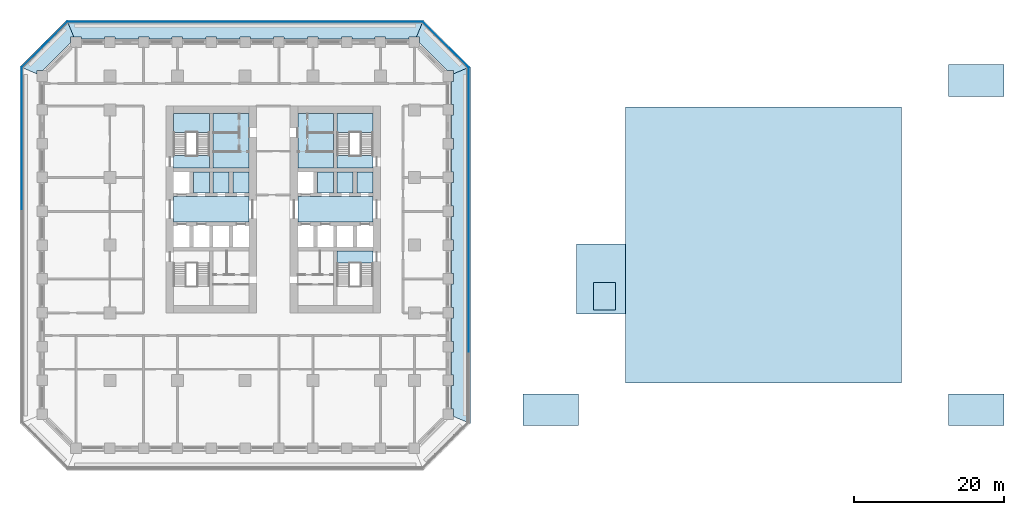
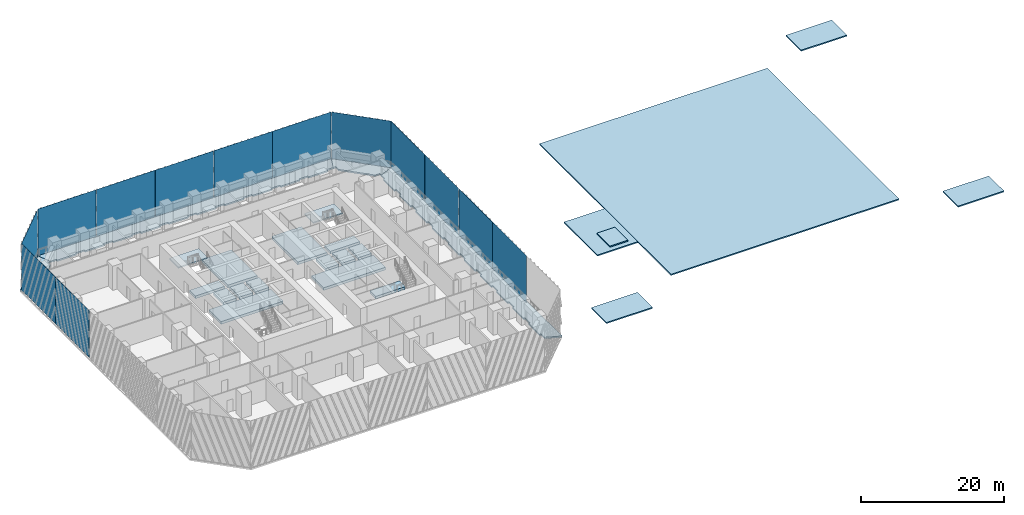
# One storey, part 2 of 15: 25 slabs, 13 plates, 2 elements without a shape of their own.
"""IFC4 building model written with IfcOpenShell, lengths in metres."""

from ifc_helpers import new_model, si_unit, direction, frame, origin, origin_2d, place, context, subcontext, project, spatial, polyline, rectangle, outline, extrude, material, layer, layer_set, type_object, element, aggregate, save


model = new_model("IFC4")

# Units and contexts
model_context = context("Model", 3, precision=1e-05, world=origin(), true_north=direction((0.0, 1.0)))
body_context = subcontext(model_context, "Body", "Model", "MODEL_VIEW")
ifc_project = project(units=[si_unit("LENGTHUNIT", "METRE"), si_unit("AREAUNIT", "SQUARE_METRE"), si_unit("VOLUMEUNIT", "CUBIC_METRE"), si_unit("PLANEANGLEUNIT", "RADIAN"), si_unit("MASSUNIT", "GRAM", prefix="KILO")], contexts=[model_context])

# Site, building, storey
site_placement = place(None, origin())
site = spatial("IfcSite", under=ifc_project, at=site_placement, CompositionType="ELEMENT")
building_placement = place(site_placement, origin())
building = spatial("IfcBuilding", under=site, at=building_placement, Name="Corbel Stack Research Tower", CompositionType="ELEMENT")
storey_placement = place(building_placement, frame((0.0, 0.0, 23.60009765625)))
storey = spatial("IfcBuildingStorey", under=building, at=storey_placement, Name="L05", CompositionType="ELEMENT", Elevation=23.60009765625)

# Plates
ifc_material_1 = material(Name="Fritted glass", Category="glass")
ifc_layer_1 = layer(ifc_material_1, 0.02490234375)
ifc_layer_set_1 = layer_set([ifc_layer_1], Name="Fritted glass")
plate_type = type_object("IfcPlateType", Name="Fritted glass panel 25", PredefinedType="SHEET", material=ifc_layer_set_1)
for number, where, z_axis, x_axis, name in (
    (1, (29.737548828125, -9.45556640625, 0.0), (0.0, 0.0, 1.0), (0.0, 1.0, 0.0), "Fritted glass L05 E2"),
    (2, (29.737548828125, 0.0, 0.0), (0.0, 0.0, 1.0), (0.0, 1.0, 0.0), "Fritted glass L05 E3"),
    (3, (29.737548828125, 9.45556640625, 0.0), (0.0, 0.0, 1.0), (0.0, 1.0, 0.0), "Fritted glass L05 E4"),
    (4, (29.737548828125, 18.911376953125, 0.0), (0.0, 0.0, 1.0), (0.0, 1.0, 0.0), "Fritted glass L05 E5"),
):
    element("IfcPlate", number, at=place(storey_placement, frame(where, z_axis=z_axis, x_axis=x_axis)), inside=storey, type_object=plate_type, Name=name, PredefinedType="SHEET", context=body_context, shape_type="SweptSolid", body=[
        extrude(rectangle(XDim=9.3955078125, YDim=0.02490234375, at=origin_2d()), origin(), (0.0, 0.0, 1.0), 7.949951171875),
    ])
plate_1_placement = place(storey_placement, frame((26.685791015625, 26.685791015625, 0.0), z_axis=(0.0, 0.0, 1.0), x_axis=(-0.707106781187, 0.707106781187, 0.0)))
element("IfcPlate", 5, at=plate_1_placement, inside=storey, type_object=plate_type, Name="Fritted glass L05 NE1", PredefinedType="SHEET", context=body_context, shape_type="SweptSolid", body=[
    extrude(rectangle(XDim=8.58203125, YDim=0.02490234375, at=origin_2d()), origin(), (0.0, 0.0, 1.0), 7.949951171875),
])
for number, where, z_axis, x_axis, name in (
    (6, (18.911376953125, 29.737548828125, 0.0), (0.0, 0.0, 1.0), (-1.0, 0.0, 0.0), "Fritted glass L05 N1"),
    (7, (9.45556640625, 29.737548828125, 0.0), (0.0, 0.0, 1.0), (-1.0, 0.0, 0.0), "Fritted glass L05 N2"),
    (8, (0.0, 29.737548828125, 0.0), (0.0, 0.0, 1.0), (-1.0, 0.0, 0.0), "Fritted glass L05 N3"),
    (9, (-9.45556640625, 29.737548828125, 0.0), (0.0, 0.0, 1.0), (-1.0, 0.0, 0.0), "Fritted glass L05 N4"),
    (10, (-18.911376953125, 29.737548828125, 0.0), (0.0, 0.0, 1.0), (-1.0, 0.0, 0.0), "Fritted glass L05 N5"),
):
    element("IfcPlate", number, at=place(storey_placement, frame(where, z_axis=z_axis, x_axis=x_axis)), inside=storey, type_object=plate_type, Name=name, PredefinedType="SHEET", context=body_context, shape_type="SweptSolid", body=[
        extrude(rectangle(XDim=9.3955078125, YDim=0.02490234375, at=origin_2d()), origin(), (0.0, 0.0, 1.0), 7.949951171875),
    ])
plate_2_placement = place(storey_placement, frame((-26.685791015625, 26.685791015625, 0.0), z_axis=(0.0, 0.0, 1.0), x_axis=(-0.707106781187, -0.707106781187, 0.0)))
element("IfcPlate", 11, at=plate_2_placement, inside=storey, type_object=plate_type, Name="Fritted glass L05 NW1", PredefinedType="SHEET", context=body_context, shape_type="SweptSolid", body=[
    extrude(rectangle(XDim=8.58203125, YDim=0.02490234375, at=origin_2d()), origin(), (0.0, 0.0, 1.0), 7.949951171875),
])
for number, where, z_axis, x_axis, name in (
    (12, (-29.737548828125, 18.911376953125, 0.0), (0.0, 0.0, 1.0), (0.0, -1.0, 0.0), "Fritted glass L05 W1"),
    (13, (-29.737548828125, 9.45556640625, 0.0), (0.0, 0.0, 1.0), (0.0, -1.0, 0.0), "Fritted glass L05 W2"),
):
    element("IfcPlate", number, at=place(storey_placement, frame(where, z_axis=z_axis, x_axis=x_axis)), inside=storey, type_object=plate_type, Name=name, PredefinedType="SHEET", context=body_context, shape_type="SweptSolid", body=[
        extrude(rectangle(XDim=9.3955078125, YDim=0.02490234375, at=origin_2d()), origin(), (0.0, 0.0, 1.0), 7.949951171875),
    ])

# Slabs
ifc_material_2 = material(Name="Concrete C40/50", Category="concrete")
ifc_layer_2 = layer(ifc_material_2, 0.199951171875)
ifc_layer_set_2 = layer_set([ifc_layer_2], Name="Concrete C40/50")
slab_type_1 = type_object("IfcSlabType", Name="HS3 roof slab 200", PredefinedType="ROOF", material=ifc_layer_set_2)
slab_1_placement = place(storey_placement, frame((0.0, 0.0, -0.2001953125)))
element("IfcSlab", 14, at=slab_1_placement, inside=storey, type_object=slab_type_1, Name="Hall roof", PredefinedType="ROOF", context=body_context, shape_type="SweptSolid", body=[
    extrude(outline(polyline([(87.300048828125, -18.35009765625), (50.60009765625, -18.35009765625), (50.60009765625, 18.35009765625), (87.300048828125, 18.35009765625), (87.300048828125, -18.35009765625)])), origin(), (0.0, 0.0, 1.0), 0.2001953125),
])
slab_2_placement = place(storey_placement, frame((0.0, 0.0, -0.2001953125)))
element("IfcSlab", 15, at=slab_2_placement, inside=storey, type_object=slab_type_1, Name="Terrace lobby roof", PredefinedType="ROOF", context=body_context, shape_type="SweptSolid", body=[
    extrude(outline(polyline([(44.050048828125, -9.14990234375), (44.050048828125, 0.14990234375), (50.60009765625, 0.14990234375), (50.60009765625, -9.14990234375), (44.050048828125, -9.14990234375)])), origin(), (0.0, 0.0, 1.0), 0.2001953125),
])
slab_3_placement = place(storey_placement, frame((0.0, 0.0, -0.2001953125)))
element("IfcSlab", 16, at=slab_3_placement, inside=storey, type_object=slab_type_1, Name="Stair HS1 head roof", PredefinedType="ROOF", context=body_context, shape_type="SweptSolid", body=[
    extrude(outline(polyline([(44.35009765625, -24.0), (36.949951171875, -24.0), (36.949951171875, -19.77490234375), (44.35009765625, -19.77490234375), (44.35009765625, -24.0)])), origin(), (0.0, 0.0, 1.0), 0.2001953125),
])
slab_4_placement = place(storey_placement, frame((0.0, 0.0, -0.2001953125)))
element("IfcSlab", 17, at=slab_4_placement, inside=storey, type_object=slab_type_1, Name="Stair HS2 head roof", PredefinedType="ROOF", context=body_context, shape_type="SweptSolid", body=[
    extrude(outline(polyline([(100.949951171875, 19.77490234375), (93.550048828125, 19.77490234375), (93.550048828125, 24.0), (100.949951171875, 24.0), (100.949951171875, 19.77490234375)])), origin(), (0.0, 0.0, 1.0), 0.2001953125),
])
slab_5_placement = place(storey_placement, frame((0.0, 0.0, -0.2001953125)))
element("IfcSlab", 18, at=slab_5_placement, inside=storey, type_object=slab_type_1, Name="Stair HS3 head roof", PredefinedType="ROOF", context=body_context, shape_type="SweptSolid", body=[
    extrude(outline(polyline([(100.949951171875, -24.0), (93.550048828125, -24.0), (93.550048828125, -19.77490234375), (100.949951171875, -19.77490234375), (100.949951171875, -24.0)])), origin(), (0.0, 0.0, 1.0), 0.2001953125),
])
slab_6_placement = place(storey_placement, frame((0.0, 0.0, 0.199951171875)))
element("IfcSlab", 19, at=slab_6_placement, inside=storey, type_object=slab_type_1, Name="Lift shaft cap slab", PredefinedType="ROOF", context=body_context, shape_type="SweptSolid", body=[
    extrude(outline(polyline([(49.27490234375, -8.625), (46.375, -8.625), (46.375, -4.97509765625), (49.27490234375, -4.97509765625), (49.27490234375, -8.625)])), origin(), (0.0, 0.0, 1.0), 0.199951171875),
])
ifc_material_3 = material(Name="Concrete C45/55", Category="concrete")
ifc_layer_3 = layer(ifc_material_3, 0.25)
ifc_layer_set_3 = layer_set([ifc_layer_3], Name="Concrete C45/55")
slab_type_2 = type_object("IfcSlabType", Name="PT balcony slab 250 C45/55", PredefinedType="FLOOR", material=ifc_layer_set_3)
slab_7_placement = place(storey_placement, frame((0.0, 0.0, -0.25)))
element("IfcSlab", 20, at=slab_7_placement, inside=storey, type_object=slab_type_2, Name="Loggia slab L05 E", PredefinedType="FLOOR", context=body_context, shape_type="SweptSolid", body=[
    extrude(outline(polyline([(27.699951171875, 22.789794921875), (27.699951171875, 21.800048828125), (27.449951171875, 21.800048828125), (27.449951171875, 18.699951171875), (27.699951171875, 18.699951171875), (27.699951171875, 17.300048828125), (27.449951171875, 17.300048828125), (27.449951171875, 14.199951171875), (27.699951171875, 14.199951171875), (27.699951171875, 12.800048828125), (27.449951171875, 12.800048828125), (27.449951171875, 9.699951171875), (27.699951171875, 9.699951171875), (27.699951171875, 8.300048828125), (27.449951171875, 8.300048828125), (27.449951171875, 5.199951171875), (27.699951171875, 5.199951171875), (27.699951171875, 3.800048828125), (27.449951171875, 3.800048828125), (27.449951171875, 0.699951171875), (27.699951171875, 0.699951171875), (27.699951171875, -0.699951171875), (27.449951171875, -0.699951171875), (27.449951171875, -3.800048828125), (27.699951171875, -3.800048828125), (27.699951171875, -5.199951171875), (27.449951171875, -5.199951171875), (27.449951171875, -8.300048828125), (27.699951171875, -8.300048828125), (27.699951171875, -9.699951171875), (27.449951171875, -9.699951171875), (27.449951171875, -12.800048828125), (27.699951171875, -12.800048828125), (27.699951171875, -14.199951171875), (27.449951171875, -14.199951171875), (27.449951171875, -17.300048828125), (27.699951171875, -17.300048828125), (27.699951171875, -18.699951171875), (27.449951171875, -18.699951171875), (27.449951171875, -21.800048828125), (27.699951171875, -21.800048828125), (27.699951171875, -22.789794921875), (29.949951171875, -23.721923828125), (29.949951171875, 23.721923828125), (27.699951171875, 22.789794921875)])), origin(), (0.0, 0.0, 1.0), 0.25),
])
slab_8_placement = place(storey_placement, frame((0.0, 0.0, -0.25)))
element("IfcSlab", 21, at=slab_8_placement, inside=storey, type_object=slab_type_2, Name="Loggia slab L05 NE", PredefinedType="FLOOR", context=body_context, shape_type="SweptSolid", body=[
    extrude(outline(polyline([(22.789794921875, 27.699951171875), (23.199951171875, 27.699951171875), (23.199951171875, 26.936279296875), (26.936279296875, 23.199951171875), (27.699951171875, 23.199951171875), (27.699951171875, 22.789794921875), (29.949951171875, 23.721923828125), (23.721923828125, 29.949951171875), (22.789794921875, 27.699951171875)])), origin(), (0.0, 0.0, 1.0), 0.25),
])
slab_9_placement = place(storey_placement, frame((0.0, 0.0, -0.25)))
element("IfcSlab", 22, at=slab_9_placement, inside=storey, type_object=slab_type_2, Name="Loggia slab L05 N", PredefinedType="FLOOR", context=body_context, shape_type="SweptSolid", body=[
    extrude(outline(polyline([(-22.789794921875, 27.699951171875), (-21.800048828125, 27.699951171875), (-21.800048828125, 27.449951171875), (-18.699951171875, 27.449951171875), (-18.699951171875, 27.699951171875), (-17.300048828125, 27.699951171875), (-17.300048828125, 27.449951171875), (-14.199951171875, 27.449951171875), (-14.199951171875, 27.699951171875), (-12.800048828125, 27.699951171875), (-12.800048828125, 27.449951171875), (-9.699951171875, 27.449951171875), (-9.699951171875, 27.699951171875), (-8.300048828125, 27.699951171875), (-8.300048828125, 27.449951171875), (-5.199951171875, 27.449951171875), (-5.199951171875, 27.699951171875), (-3.800048828125, 27.699951171875), (-3.800048828125, 27.449951171875), (-0.699951171875, 27.449951171875), (-0.699951171875, 27.699951171875), (0.699951171875, 27.699951171875), (0.699951171875, 27.449951171875), (3.800048828125, 27.449951171875), (3.800048828125, 27.699951171875), (5.199951171875, 27.699951171875), (5.199951171875, 27.449951171875), (8.300048828125, 27.449951171875), (8.300048828125, 27.699951171875), (9.699951171875, 27.699951171875), (9.699951171875, 27.449951171875), (12.800048828125, 27.449951171875), (12.800048828125, 27.699951171875), (14.199951171875, 27.699951171875), (14.199951171875, 27.449951171875), (17.300048828125, 27.449951171875), (17.300048828125, 27.699951171875), (18.699951171875, 27.699951171875), (18.699951171875, 27.449951171875), (21.800048828125, 27.449951171875), (21.800048828125, 27.699951171875), (22.789794921875, 27.699951171875), (23.721923828125, 29.949951171875), (-23.721923828125, 29.949951171875), (-22.789794921875, 27.699951171875)])), origin(), (0.0, 0.0, 1.0), 0.25),
])
slab_10_placement = place(storey_placement, frame((0.0, 0.0, -0.25)))
element("IfcSlab", 23, at=slab_10_placement, inside=storey, type_object=slab_type_2, Name="Loggia slab L05 NW", PredefinedType="FLOOR", context=body_context, shape_type="SweptSolid", body=[
    extrude(outline(polyline([(-27.699951171875, 22.789794921875), (-27.699951171875, 23.199951171875), (-26.936279296875, 23.199951171875), (-23.199951171875, 26.936279296875), (-23.199951171875, 27.699951171875), (-22.789794921875, 27.699951171875), (-23.721923828125, 29.949951171875), (-29.949951171875, 23.721923828125), (-27.699951171875, 22.789794921875)])), origin(), (0.0, 0.0, 1.0), 0.25),
])
ifc_material_4 = material(Name="Concrete C45/55", Category="concrete")
ifc_layer_4 = layer(ifc_material_4, 0.449951171875)
ifc_layer_set_4 = layer_set([ifc_layer_4], Name="Concrete C45/55")
slab_type_3 = type_object("IfcSlabType", Name="PT-450", PredefinedType="FLOOR", material=ifc_layer_set_4)
slab_11_placement = place(storey_placement, frame((0.0, 0.0, -0.4501953125)))
element("IfcSlab", 24, at=slab_11_placement, inside=storey, type_object=slab_type_3, Name="West core floor L05", PredefinedType="FLOOR", context=body_context, shape_type="SweptSolid", body=[
    extrude(outline(polyline([(-9.5, 6.449951171875), (-9.5, 3.050048828125), (0.5, 3.050048828125), (0.5, 6.449951171875), (-9.5, 6.449951171875)])), origin(), (0.0, 0.0, 1.0), 0.4501953125),
])
slab_12_placement = place(storey_placement, frame((0.0, 0.0, -0.4501953125)))
element("IfcSlab", 25, at=slab_12_placement, inside=storey, type_object=slab_type_3, Name="West core floor L05", PredefinedType="FLOOR", context=body_context, shape_type="SweptSolid", body=[
    extrude(outline(polyline([(-6.875, 6.949951171875), (-4.75, 6.949951171875), (-4.75, 9.75), (-6.875, 9.75), (-6.875, 6.949951171875)])), origin(), (0.0, 0.0, 1.0), 0.4501953125),
])
slab_13_placement = place(storey_placement, frame((0.0, 0.0, -0.4501953125)))
element("IfcSlab", 26, at=slab_13_placement, inside=storey, type_object=slab_type_3, Name="West core floor L05", PredefinedType="FLOOR", context=body_context, shape_type="SweptSolid", body=[
    extrude(outline(polyline([(-2.125, 6.949951171875), (-2.125, 9.75), (-4.25, 9.75), (-4.25, 6.949951171875), (-2.125, 6.949951171875)])), origin(), (0.0, 0.0, 1.0), 0.4501953125),
])
slab_14_placement = place(storey_placement, frame((0.0, 0.0, -0.4501953125)))
element("IfcSlab", 27, at=slab_14_placement, inside=storey, type_object=slab_type_3, Name="West core floor L05", PredefinedType="FLOOR", context=body_context, shape_type="SweptSolid", body=[
    extrude(outline(polyline([(-4.25, 17.5), (-4.25, 10.25), (0.5, 10.25), (0.5, 17.5), (-4.25, 17.5)])), origin(), (0.0, 0.0, 1.0), 0.4501953125),
])
slab_15_placement = place(storey_placement, frame((0.0, 0.0, -0.4501953125)))
element("IfcSlab", 28, at=slab_15_placement, inside=storey, type_object=slab_type_3, Name="West core floor L05", PredefinedType="FLOOR", context=body_context, shape_type="SweptSolid", body=[
    extrude(outline(polyline([(0.5, 6.949951171875), (0.5, 9.75), (-1.625, 9.75), (-1.625, 6.949951171875), (0.5, 6.949951171875)])), origin(), (0.0, 0.0, 1.0), 0.4501953125),
])
slab_16_placement = place(storey_placement, frame((0.0, 0.0, -0.4501953125)))
element("IfcSlab", 29, at=slab_16_placement, inside=storey, type_object=slab_type_3, Name="East core floor L05", PredefinedType="FLOOR", context=body_context, shape_type="SweptSolid", body=[
    extrude(outline(polyline([(7.0, 6.449951171875), (7.0, 3.050048828125), (17.0, 3.050048828125), (17.0, 6.449951171875), (7.0, 6.449951171875)])), origin(), (0.0, 0.0, 1.0), 0.4501953125),
])
slab_17_placement = place(storey_placement, frame((0.0, 0.0, -0.4501953125)))
element("IfcSlab", 30, at=slab_17_placement, inside=storey, type_object=slab_type_3, Name="East core floor L05", PredefinedType="FLOOR", context=body_context, shape_type="SweptSolid", body=[
    extrude(outline(polyline([(7.0, 17.5), (7.0, 10.25), (11.75, 10.25), (11.75, 17.5), (7.0, 17.5)])), origin(), (0.0, 0.0, 1.0), 0.4501953125),
])
slab_18_placement = place(storey_placement, frame((0.0, 0.0, -0.4501953125)))
element("IfcSlab", 31, at=slab_18_placement, inside=storey, type_object=slab_type_3, Name="East core floor L05", PredefinedType="FLOOR", context=body_context, shape_type="SweptSolid", body=[
    extrude(outline(polyline([(9.625, 6.949951171875), (11.75, 6.949951171875), (11.75, 9.75), (9.625, 9.75), (9.625, 6.949951171875)])), origin(), (0.0, 0.0, 1.0), 0.4501953125),
])
slab_19_placement = place(storey_placement, frame((0.0, 0.0, -0.4501953125)))
element("IfcSlab", 32, at=slab_19_placement, inside=storey, type_object=slab_type_3, Name="East core floor L05", PredefinedType="FLOOR", context=body_context, shape_type="SweptSolid", body=[
    extrude(outline(polyline([(14.375, 6.949951171875), (14.375, 9.75), (12.25, 9.75), (12.25, 6.949951171875), (14.375, 6.949951171875)])), origin(), (0.0, 0.0, 1.0), 0.4501953125),
])
slab_20_placement = place(storey_placement, frame((0.0, 0.0, -0.4501953125)))
element("IfcSlab", 33, at=slab_20_placement, inside=storey, type_object=slab_type_3, Name="East core floor L05", PredefinedType="FLOOR", context=body_context, shape_type="SweptSolid", body=[
    extrude(outline(polyline([(17.0, 6.949951171875), (17.0, 9.75), (14.875, 9.75), (14.875, 6.949951171875), (17.0, 6.949951171875)])), origin(), (0.0, 0.0, 1.0), 0.4501953125),
])
slab_21_placement = place(storey_placement, frame((0.0, 0.0, -0.4501953125)))
element("IfcSlab", 34, at=slab_21_placement, inside=storey, type_object=slab_type_3, Name="Stair floor landing ST-W2", PredefinedType="FLOOR", context=body_context, shape_type="SweptSolid", body=[
    extrude(outline(polyline([(-9.5, 10.25), (-4.75, 10.25), (-4.75, 11.89990234375), (-9.5, 11.89990234375), (-9.5, 10.25)])), origin(), (0.0, 0.0, 1.0), 0.4501953125),
])
slab_22_placement = place(storey_placement, frame((0.0, 0.0, -0.4501953125)))
element("IfcSlab", 35, at=slab_22_placement, inside=storey, type_object=slab_type_3, Name="Stair floor landing ST-E1", PredefinedType="FLOOR", context=body_context, shape_type="SweptSolid", body=[
    extrude(outline(polyline([(12.25, -2.39990234375), (17.0, -2.39990234375), (17.0, -0.75), (12.25, -0.75), (12.25, -2.39990234375)])), origin(), (0.0, 0.0, 1.0), 0.4501953125),
])
slab_23_placement = place(storey_placement, frame((0.0, 0.0, -0.4501953125)))
element("IfcSlab", 36, at=slab_23_placement, inside=storey, type_object=slab_type_3, Name="Stair floor landing ST-E2", PredefinedType="FLOOR", context=body_context, shape_type="SweptSolid", body=[
    extrude(outline(polyline([(12.25, 10.25), (17.0, 10.25), (17.0, 11.89990234375), (12.25, 11.89990234375), (12.25, 10.25)])), origin(), (0.0, 0.0, 1.0), 0.4501953125),
])

# Stair, slab
ifc_material_5 = material(Name="Concrete C40/50", Category="concrete")
stair_type = type_object("IfcStairType", Name="Exit stair 24 risers", PredefinedType="HALF_TURN_STAIR", material=ifc_material_5)
stair_1_placement = place(storey_placement, origin())
stair_1 = element("IfcStair", 37, at=stair_1_placement, inside=storey, type_object=stair_type, Name="L05 Exit stair ST-W2", PredefinedType="HALF_TURN_STAIR")
ifc_material_6 = material(Name="Concrete C40/50", Category="concrete")
ifc_layer_5 = layer(ifc_material_6, 0.199951171875)
ifc_layer_set_5 = layer_set([ifc_layer_5], Name="Concrete C40/50")
slab_type_4 = type_object("IfcSlabType", Name="Stair landing 200 C40/50", PredefinedType="LANDING", material=ifc_layer_set_5)
slab_24_placement = place(storey_placement, frame((0.0, 0.0, 1.849853515625)))
slab_24 = element("IfcSlab", 38, at=slab_24_placement, type_object=slab_type_4, Name="ST-W2 landing 1", PredefinedType="LANDING", context=body_context, shape_type="SweptSolid", body=[
    extrude(outline(polyline([(-9.5, 14.97998046875), (-9.5, 17.5), (-4.75, 17.5), (-4.75, 14.97998046875), (-9.5, 14.97998046875)])), origin(), (0.0, 0.0, 1.0), 0.199951171875),
])
aggregate(stair_1, [slab_24])

stair_2_placement = place(storey_placement, origin())
stair_2 = element("IfcStair", 39, at=stair_2_placement, inside=storey, type_object=stair_type, Name="L05 Exit stair ST-E2", PredefinedType="HALF_TURN_STAIR")
slab_25_placement = place(storey_placement, frame((0.0, 0.0, 1.849853515625)))
slab_25 = element("IfcSlab", 40, at=slab_25_placement, type_object=slab_type_4, Name="ST-E2 landing 1", PredefinedType="LANDING", context=body_context, shape_type="SweptSolid", body=[
    extrude(outline(polyline([(12.25, 14.97998046875), (12.25, 17.5), (17.0, 17.5), (17.0, 14.97998046875), (12.25, 14.97998046875)])), origin(), (0.0, 0.0, 1.0), 0.199951171875),
])
aggregate(stair_2, [slab_25])

save(model, "model.ifc")
